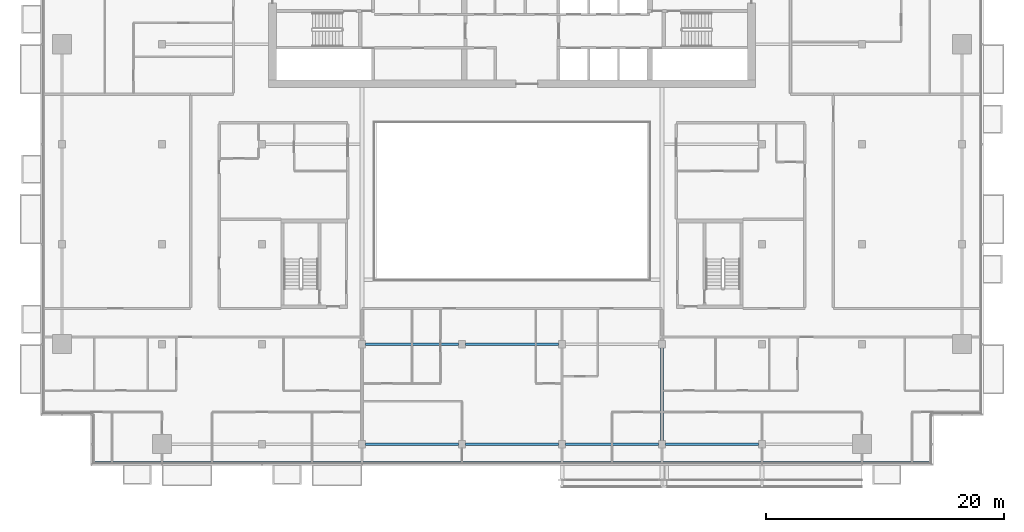
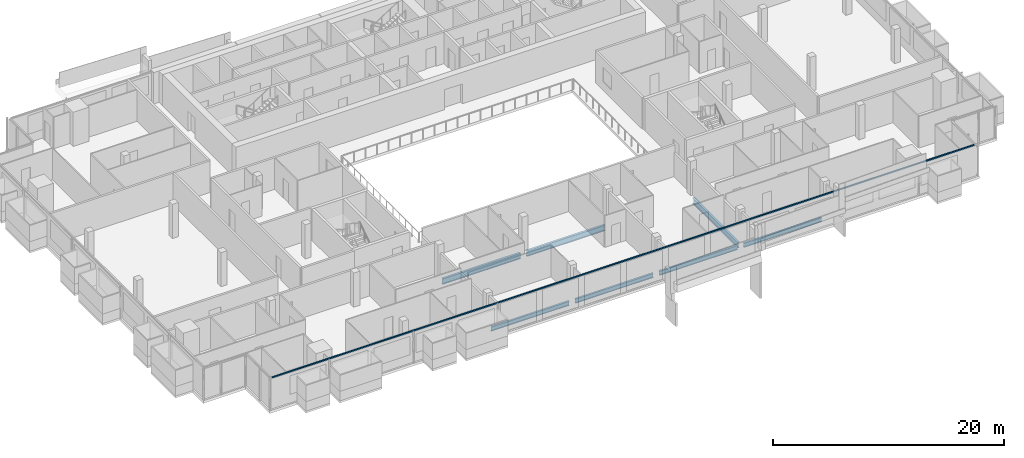
# One storey, part 5 of 27: 7 beams, 1 member, 1 element without a shape of its own.
"""IFC4 building model written with IfcOpenShell, lengths in metres."""

from ifc_helpers import new_model, si_unit, direction, frame, origin, origin_2d, place, context, subcontext, project, spatial, rectangle, i_section, extrude, material, material_profile, profile_set, type_object, element, aggregate, save


model = new_model("IFC4")

# Units and contexts
model_context = context("Model", 3, precision=1e-05, world=origin(), true_north=direction((0.0, 1.0)))
body_context = subcontext(model_context, "Body", "Model", "MODEL_VIEW")
ifc_project = project(units=[si_unit("LENGTHUNIT", "METRE"), si_unit("AREAUNIT", "SQUARE_METRE"), si_unit("VOLUMEUNIT", "CUBIC_METRE"), si_unit("PLANEANGLEUNIT", "RADIAN"), si_unit("MASSUNIT", "GRAM", prefix="KILO")], contexts=[model_context])

# Site, building, storey
site_placement = place(None, origin())
site = spatial("IfcSite", under=ifc_project, at=site_placement, CompositionType="ELEMENT")
building_placement = place(site_placement, origin())
building = spatial("IfcBuilding", under=site, at=building_placement, Name="Saffron Gate Tower", CompositionType="ELEMENT")
storey_placement = place(building_placement, frame((0.0, 0.0, 212.699951171875)))
storey = spatial("IfcBuildingStorey", under=building, at=storey_placement, Name="L51", CompositionType="ELEMENT", Elevation=212.699951171875)

# Beams
ifc_material_1 = material(Name="Structural steel S355", Category="steel")
ifc_material_profile_1 = material_profile(ifc_material_1, i_section(OverallWidth=0.219970703125, OverallDepth=0.60009765625, WebThickness=0.011962890625, FlangeThickness=0.01904296875, FilletRadius=0.02392578125, at=origin_2d()))
ifc_profile_set_1 = profile_set([ifc_material_profile_1], Name="Structural steel S355")
beam_type_1 = type_object("IfcBeamType", Name="B15 IPE 600", PredefinedType="BEAM", material=ifc_profile_set_1)
beam_1_placement = place(storey_placement, frame((100.199951171875, 32.10009765625, -0.579833984375), z_axis=(0.0, 1.0, 0.0), x_axis=(-1.0, 0.0, 0.0)))
element("IfcBeam", 1, at=beam_1_placement, inside=storey, type_object=beam_type_1, Name="B15 FLOOR GIRDER", PredefinedType="BEAM", context=body_context, shape_type="SweptSolid", body=[
    extrude(i_section(OverallWidth=0.219970703125, OverallDepth=0.60009765625, WebThickness=0.011962890625, FlangeThickness=0.01904296875, FilletRadius=0.02392578125, at=origin_2d()), origin(), (0.0, 0.0, 1.0), 7.7998046875),
])
for number, where, z_axis, x_axis, name in (
    (2, (75.300048828125, 40.199951171875, -0.579833984375), (1.0, 0.0, 0.0), (0.0, 1.0, 0.0), "B15 FLOOR GIRDER"),
    (3, (83.699951171875, 40.199951171875, -0.579833984375), (1.0, 0.0, 0.0), (0.0, 1.0, 0.0), "B15 FLOOR GIRDER"),
):
    element("IfcBeam", number, at=place(storey_placement, frame(where, z_axis=z_axis, x_axis=x_axis)), inside=storey, type_object=beam_type_1, Name=name, PredefinedType="BEAM", context=body_context, shape_type="SweptSolid", body=[
        extrude(i_section(OverallWidth=0.219970703125, OverallDepth=0.60009765625, WebThickness=0.011962890625, FlangeThickness=0.01904296875, FilletRadius=0.02392578125, at=origin_2d()), origin(), (0.0, 0.0, 1.0), 7.800048828125),
    ])
ifc_material_profile_2 = material_profile(ifc_material_1, i_section(OverallWidth=0.18994140625, OverallDepth=0.449951171875, WebThickness=0.009521484375, FlangeThickness=0.0146484375, FilletRadius=0.02099609375, at=origin_2d()))
ifc_profile_set_2 = profile_set([ifc_material_profile_2], Name="Structural steel S355")
beam_type_2 = type_object("IfcBeamType", Name="B7 IPE 450", PredefinedType="SPANDREL", material=ifc_profile_set_2)
for number, where, z_axis, x_axis, name in (
    (4, (75.300048828125, 31.800048828125, -0.5048828125), (1.0, 0.0, 0.0), (0.0, 1.0, 0.0), "B7 SPANDREL BEAM"),
    (5, (83.699951171875, 31.800048828125, -0.5048828125), (1.0, 0.0, 0.0), (0.0, 1.0, 0.0), "B7 SPANDREL BEAM"),
):
    element("IfcBeam", number, at=place(storey_placement, frame(where, z_axis=z_axis, x_axis=x_axis)), inside=storey, type_object=beam_type_2, Name=name, PredefinedType="SPANDREL", context=body_context, shape_type="SweptSolid", body=[
        extrude(i_section(OverallWidth=0.18994140625, OverallDepth=0.449951171875, WebThickness=0.009521484375, FlangeThickness=0.0146484375, FilletRadius=0.02099609375, at=origin_2d()), origin(), (0.0, 0.0, 1.0), 7.800048828125),
    ])
beam_2_placement = place(storey_placement, frame((92.10009765625, 31.800048828125, -0.5048828125), z_axis=(1.0, 0.0, 0.0), x_axis=(0.0, 1.0, 0.0)))
element("IfcBeam", 6, at=beam_2_placement, inside=storey, type_object=beam_type_2, Name="B7 SPANDREL BEAM", PredefinedType="SPANDREL", context=body_context, shape_type="SweptSolid", body=[
    extrude(i_section(OverallWidth=0.18994140625, OverallDepth=0.449951171875, WebThickness=0.009521484375, FlangeThickness=0.0146484375, FilletRadius=0.02099609375, at=origin_2d()), origin(), (0.0, 0.0, 1.0), 7.7998046875),
])
beam_3_placement = place(storey_placement, frame((100.5, 31.800048828125, -0.5048828125), z_axis=(1.0, 0.0, 0.0), x_axis=(0.0, 1.0, 0.0)))
element("IfcBeam", 7, at=beam_3_placement, inside=storey, type_object=beam_type_2, Name="B7 SPANDREL BEAM", PredefinedType="SPANDREL", context=body_context, shape_type="SweptSolid", body=[
    extrude(i_section(OverallWidth=0.18994140625, OverallDepth=0.449951171875, WebThickness=0.009521484375, FlangeThickness=0.0146484375, FilletRadius=0.02099609375, at=origin_2d()), origin(), (0.0, 0.0, 1.0), 7.800048828125),
])

# Curtain wall, member
ifc_material_2 = material(Name="Aluminium, bronze anodised", Category="aluminium")
curtain_wall_type = type_object("IfcCurtainWallType", Name="CWS1 curtain wall front facade", PredefinedType="NOTDEFINED", material=ifc_material_2)
curtain_wall_placement = place(storey_placement, origin())
curtain_wall = element("IfcCurtainWall", 8, at=curtain_wall_placement, inside=storey, type_object=curtain_wall_type, Name="CWS1 run 1", PredefinedType="NOTDEFINED")
ifc_material_profile_3 = material_profile(ifc_material_2, rectangle(XDim=0.1201171875, YDim=0.1201171875, at=origin_2d()))
ifc_profile_set_3 = profile_set([ifc_material_profile_3], Name="Aluminium, bronze anodised")
member_type = type_object("IfcMemberType", Name="CWS1 head transom", PredefinedType="USERDEFINED", material=ifc_profile_set_3)
member_placement = place(storey_placement, frame((52.568115234375, 30.248046875, 3.260009765625), z_axis=(1.0, 0.0, 0.0), x_axis=(0.0, 1.0, 0.0)))
member = element("IfcMember", 9, at=member_placement, type_object=member_type, Name="CWS1 head transom", ObjectType="TRANSOM", PredefinedType="USERDEFINED", context=body_context, shape_type="SweptSolid", body=[
    extrude(rectangle(XDim=0.1201171875, YDim=0.1201171875, at=origin_2d()), origin(), (0.0, 0.0, 1.0), 70.06396484375),
])
aggregate(curtain_wall, [member])

save(model, "model.ifc")
